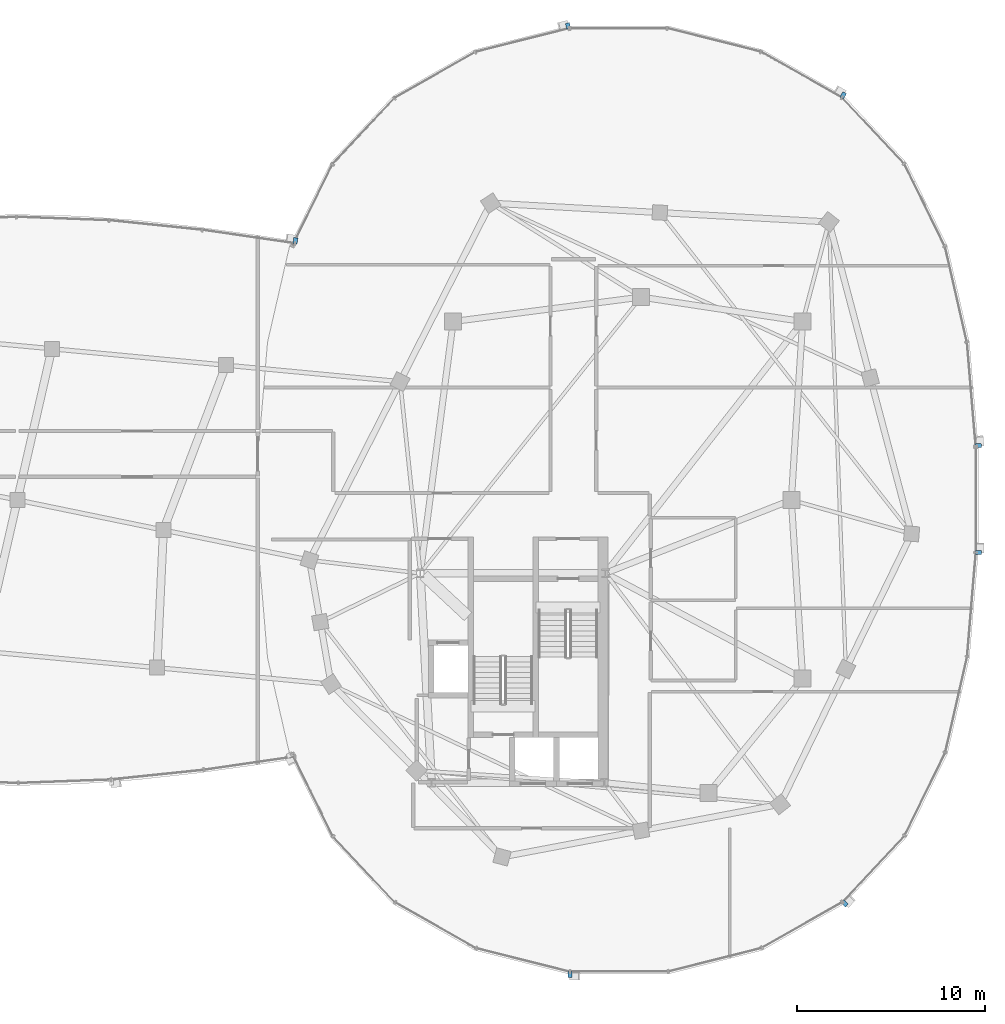
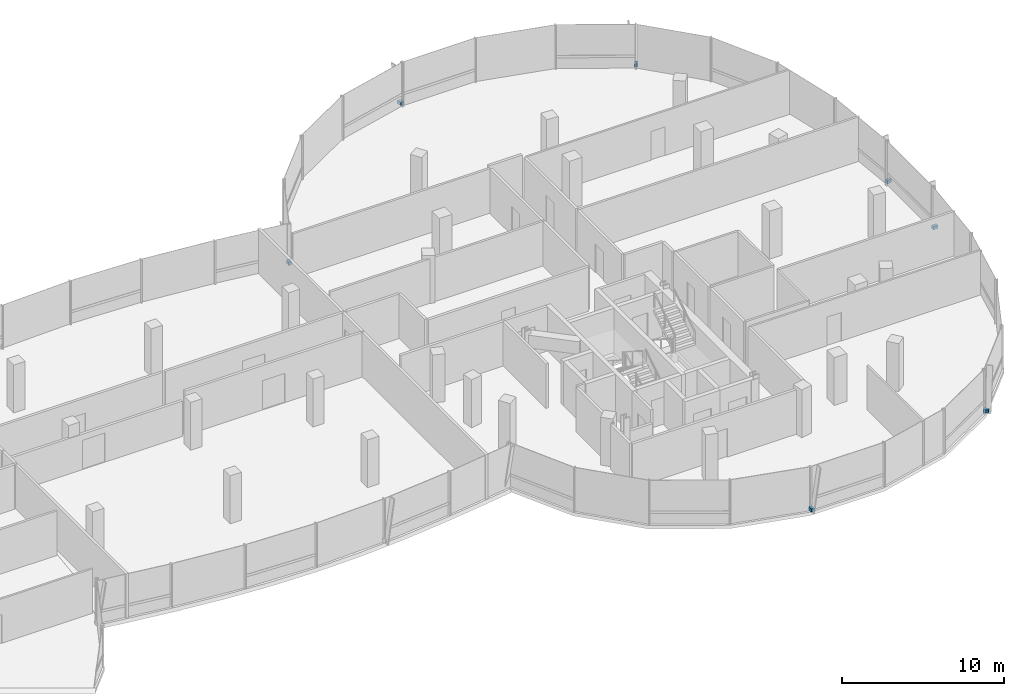
# One storey, part 19 of 25: 7 discrete accessories.
"""IFC4 building model written with IfcOpenShell, lengths in metres."""

from ifc_helpers import new_model, si_unit, direction, frame, origin, origin_2d, place, context, subcontext, project, spatial, rectangle, extrude, material, type_object, element, save


model = new_model("IFC4")

# Units and contexts
model_context = context("Model", 3, precision=1e-05, world=origin(), true_north=direction((0.0, 1.0)))
body_context = subcontext(model_context, "Body", "Model", "MODEL_VIEW")
ifc_project = project(units=[si_unit("LENGTHUNIT", "METRE"), si_unit("AREAUNIT", "SQUARE_METRE"), si_unit("VOLUMEUNIT", "CUBIC_METRE"), si_unit("PLANEANGLEUNIT", "RADIAN"), si_unit("MASSUNIT", "GRAM", prefix="KILO"), si_unit("THERMODYNAMICTEMPERATUREUNIT", "KELVIN"), si_unit("POWERUNIT", "WATT")], contexts=[model_context])

# Site, building, storey
site_placement = place(None, origin())
site = spatial("IfcSite", under=ifc_project, at=site_placement, CompositionType="ELEMENT")
building_placement = place(site_placement, origin())
building = spatial("IfcBuilding", under=site, at=building_placement, Name="Cundina Bronze Exchange", CompositionType="ELEMENT")
storey_placement = place(building_placement, frame((0.0, 0.0, 250.39990234375)))
storey = spatial("IfcBuildingStorey", under=building, at=storey_placement, Name="L66", CompositionType="ELEMENT", Elevation=250.39990234375)

# Discrete accessories
ifc_material = material(Name="Anodised Bronze Aluminium 6063-T6", Category="aluminium")
discrete_accessory_type = type_object("IfcDiscreteAccessoryType", Name="ACC-BRK-FIN", PredefinedType="BRACKET", material=ifc_material)
for number, where, z_axis, x_axis, name in (
    (1, (51.154541015625, 2.897216796875, 0.10009765625), (0.0, 0.0, 1.0), (-0.083747411454, 0.996487015006, 0.0), "L66 Fin Support Bracket 1"),
    (2, (43.958251953125, 21.54150390625, 0.10009765625), (0.0, 0.0, 1.0), (-0.869572506985, 0.493805280547, 0.0), "L66 Fin Support Bracket 5"),
    (3, (29.317626953125, 25.23681640625, 0.10009765625), (0.0, 0.0, 1.0), (-0.969731542251, -0.244173577528, 0.0), "L66 Fin Support Bracket 1"),
    (4, (29.423583984375, -25.25, 0.10009765625), (0.0, 0.0, 1.0), (1.0, 0.0, 0.0), "L66 Fin Support Bracket 5"),
    (5, (44.042236328125, -21.4755859375, 0.10009765625), (0.0, 0.0, 1.0), (0.684343512797, 0.72915976061, 0.0), "L66 Fin Support Bracket 1"),
    (6, (51.158935546875, -2.79150390625, 0.10009765625), (0.0, 0.0, 1.0), (0.0, 1.0, 0.0), "L66 Fin Support Bracket 5"),
    (7, (14.799560546875, 13.79736328125, 0.10009765625), (0.0, 0.0, 1.0), (-0.989528308409, 0.144338930496, 0.0), "L66 Fin Support Bracket 1"),
):
    element("IfcDiscreteAccessory", number, at=place(storey_placement, frame(where, z_axis=z_axis, x_axis=x_axis)), inside=storey, type_object=discrete_accessory_type, Name=name, PredefinedType="BRACKET", context=body_context, shape_type="SweptSolid", body=[
        extrude(rectangle(XDim=0.219970703125, YDim=0.320068359375, at=origin_2d()), origin(), (0.0, 0.0, 1.0), 0.239990234375),
    ])

save(model, "model.ifc")
